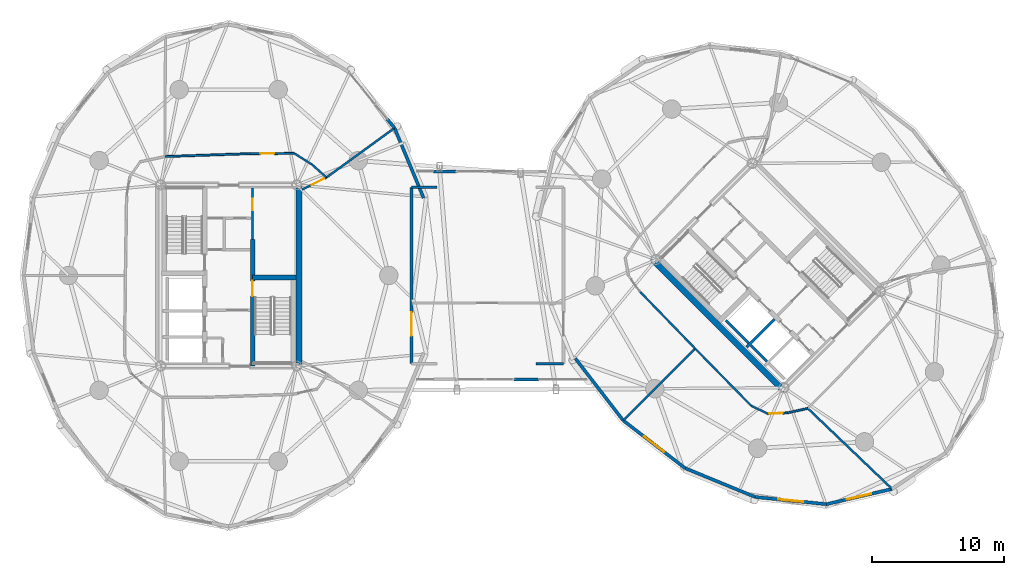
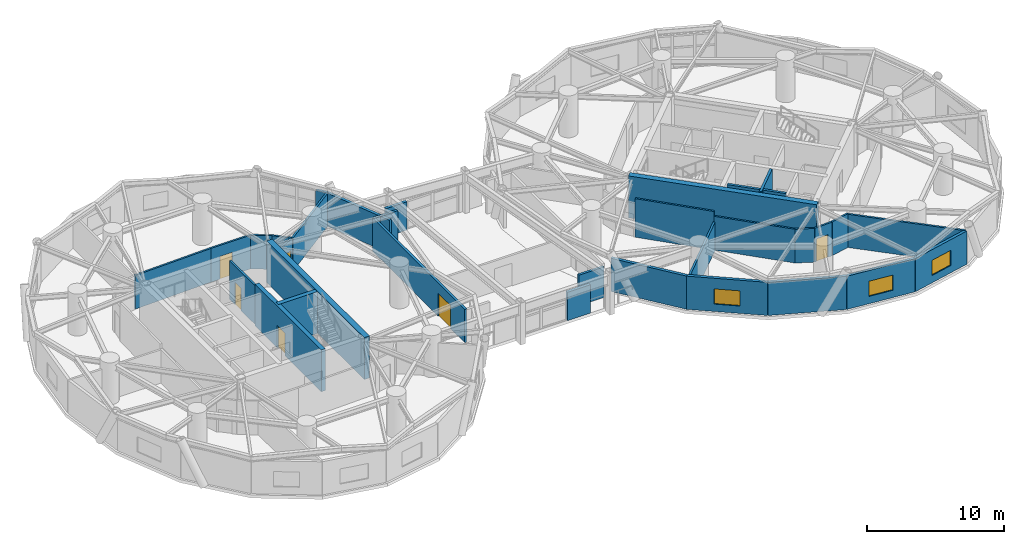
# One storey, part 14 of 19: 33 walls, 6 doors, 3 windows, 9 openings.
"""IFC4 building model written with IfcOpenShell, lengths in metres."""

from ifc_helpers import new_model, si_unit, direction, frame, frame_2d, origin, place, context, subcontext, project, spatial, rectangle, extrude, source, transform, mapped, material, layer, layer_set, type_object, element, fill, save


model = new_model("IFC4")

# Units and contexts
model_context = context("Model", 3, precision=1e-05, world=origin(), true_north=direction((0.0, 1.0)))
body_context = subcontext(model_context, "Body", "Model", "MODEL_VIEW")
ifc_project = project(units=[si_unit("LENGTHUNIT", "METRE"), si_unit("AREAUNIT", "SQUARE_METRE"), si_unit("VOLUMEUNIT", "CUBIC_METRE"), si_unit("PLANEANGLEUNIT", "RADIAN"), si_unit("MASSUNIT", "GRAM", prefix="KILO")], contexts=[model_context])

# Site, building, storey
site_placement = place(None, origin())
site = spatial("IfcSite", under=ifc_project, at=site_placement, CompositionType="ELEMENT")
building_placement = place(site_placement, origin())
building = spatial("IfcBuilding", under=site, at=building_placement, Name="Cununo Teusaquillo Station Towers", CompositionType="ELEMENT")
storey_placement = place(building_placement, frame((0.0, 0.0, 136.60009765625)))
storey = spatial("IfcBuildingStorey", under=building, at=storey_placement, Name="L43", CompositionType="ELEMENT", Elevation=136.60009765625)

# Walls
ifc_material_1 = material(Name="Concrete C50/60", Category="concrete")
ifc_layer_1 = layer(ifc_material_1, 0.199951171875)
ifc_layer_set_1 = layer_set([ifc_layer_1], Name="Concrete C50/60")
wall_type_1 = type_object("IfcWallType", Name="WL-CORE-200", PredefinedType="SHEAR", material=ifc_layer_set_1)
wall_1_placement = place(storey_placement, frame((55.8876953125, 19.0693359375, 0.0), z_axis=(0.0, 0.0, 1.0), x_axis=(0.707106781187, 0.707106781187, 0.0)))
element("IfcWall", 1, at=wall_1_placement, inside=storey, type_object=wall_type_1, Name="L43 Tower B Firefighting Lift Shaft South Shear Wall", PredefinedType="SHEAR", context=body_context, shape_type="SweptSolid", body=[
    extrude(rectangle(XDim=2.969970703125, YDim=0.199951171875, at=frame_2d((1.48486328125, 0.0))), origin(), (0.0, 0.0, 1.0), 3.719970703125),
])
wall_2_placement = place(storey_placement, frame((56.01513671875, 19.366455078125, 0.0), z_axis=(0.0, 0.0, 1.0), x_axis=(-0.707106781187, 0.707106781187, 0.0)))
element("IfcWall", 2, at=wall_2_placement, inside=storey, type_object=wall_type_1, Name="L43 Tower B Firefighting Lift Shaft Rear Shear Wall", PredefinedType="SHEAR", context=body_context, shape_type="SweptSolid", body=[
    extrude(rectangle(XDim=2.43994140625, YDim=0.199951171875, at=frame_2d((1.219970703125, 0.0))), origin(), (0.0, 0.0, 1.0), 3.719970703125),
])
wall_3_placement = place(storey_placement, frame((57.41162109375, 17.969970703125, 0.0), z_axis=(0.0, 0.0, 1.0), x_axis=(-0.707106781187, 0.707106781187, 0.0)))
element("IfcWall", 3, at=wall_3_placement, inside=storey, type_object=wall_type_1, Name="L43 Tower B High-Rise Lift 2 Shaft Rear Shear Wall", PredefinedType="SHEAR", context=body_context, shape_type="SweptSolid", body=[
    extrude(rectangle(XDim=1.73486328125, YDim=0.199951171875, at=frame_2d((0.867431640625, 0.0))), origin(), (0.0, 0.0, 1.0), 3.719970703125),
])

# Wall, opening, door
ifc_material_2 = material(Name="Concrete C50/60", Category="concrete")
ifc_layer_2 = layer(ifc_material_2, 0.35009765625)
ifc_layer_set_2 = layer_set([ifc_layer_2], Name="Concrete C50/60")
wall_type_2 = type_object("IfcWallType", Name="WL-CORE-350", PredefinedType="SHEAR", material=ifc_layer_set_2)
wall_4_placement = place(storey_placement, frame((18.31494140625, 17.625, 0.0), z_axis=(0.0, 0.0, 1.0), x_axis=(0.0, 1.0, 0.0)))
wall_4 = element("IfcWall", 4, at=wall_4_placement, inside=storey, type_object=wall_type_2, Name="L43 Tower A Core Shear Wall IE", PredefinedType="SHEAR", context=body_context, shape_type="SweptSolid", body=[
    extrude(rectangle(XDim=9.625, YDim=0.35009765625, at=frame_2d((4.8125, 0.0))), origin(), (0.0, 0.0, 1.0), 3.719970703125),
])
shared_shape_1 = source(origin(), body_context, "Body", "SweptSolid", [
    extrude(rectangle(XDim=1.14990234375, YDim=2.02001953125, at=frame_2d((0.574951171875, 1.010009765625))), frame((0.0, 0.18505859375, 0.0), z_axis=(0.0, -1.0, 0.0), x_axis=(1.0, 0.0, 0.0)), (0.0, 0.0, 1.0), 0.3701171875),
])
opening_1_placement = place(wall_4_placement, frame((5.304931640625, 0.0, 0.0)))
opening_1 = element("IfcOpeningElement", 5, at=opening_1_placement, cuts=wall_4, Name="Opening D-ST1", PredefinedType="OPENING", context=body_context, shape_type="MappedRepresentation", body=[
    mapped(shared_shape_1, transform((0.0, 0.0, 0.0), x_axis=(1.0, 0.0, 0.0), y_axis=(0.0, 1.0, 0.0), z_axis=(0.0, 0.0, 1.0), scale=1.0)),
])
ifc_material_3 = material(Name="Galvanised fire-rated hollow steel door assembly", Category="steel")
door_type_1 = type_object("IfcDoorType", Name="DR-STAIR-1150", OperationType="NOTDEFINED", PredefinedType="DOOR", material=ifc_material_3)
shared_shape_2 = source(origin(), body_context, "Body", "SweptSolid", [
    extrude(rectangle(XDim=1.14990234375, YDim=2.02001953125, at=frame_2d((0.574951171875, 1.010009765625))), frame((0.0, 0.02490234375, 0.0), z_axis=(0.0, -1.0, 0.0), x_axis=(1.0, 0.0, 0.0)), (0.0, 0.0, 1.0), 0.050048828125),
])
door_1_placement = place(opening_1_placement, origin())
door_1 = element("IfcDoor", 6, at=door_1_placement, inside=storey, type_object=door_type_1, Name="L43 Tower A Exit Stair 2 Fire Door", OperationType="SINGLE_SWING_LEFT", OverallHeight=2.02001953125, OverallWidth=1.14990234375, PredefinedType="DOOR", context=body_context, shape_type="MappedRepresentation", body=[
    mapped(shared_shape_2, transform((0.0, 0.0, 0.0), x_axis=(1.0, 0.0, 0.0), y_axis=(0.0, 1.0, 0.0), z_axis=(0.0, 0.0, 1.0), scale=1.0)),
])
fill(opening_1, door_1)

# Walls
wall_5_placement = place(storey_placement, frame((18.31494140625, 24.344970703125, 0.0), z_axis=(0.0, 0.0, 1.0), x_axis=(1.0, 0.0, 0.0)))
element("IfcWall", 7, at=wall_5_placement, inside=storey, type_object=wall_type_2, Name="L43 Tower A Core Shear Wall ST2N", PredefinedType="SHEAR", context=body_context, shape_type="SweptSolid", body=[
    extrude(rectangle(XDim=3.28515625, YDim=0.35009765625, at=frame_2d((1.642578125, 0.0))), origin(), (0.0, 0.0, 1.0), 3.719970703125),
])
ifc_material_4 = material(Name="Concrete C60/75", Category="concrete")
ifc_layer_3 = layer(ifc_material_4, 0.449951171875)
ifc_layer_set_3 = layer_set([ifc_layer_3], Name="Concrete C60/75")
wall_type_3 = type_object("IfcWallType", Name="WL-CORE-450", PredefinedType="SHEAR", material=ifc_layer_set_3)
wall_6_placement = place(storey_placement, frame((21.85009765625, 17.39990234375, 0.0), z_axis=(0.0, 0.0, 1.0), x_axis=(0.0, 1.0, 0.0)))
element("IfcWall", 8, at=wall_6_placement, inside=storey, type_object=wall_type_3, Name="L43 Tower A Core Shear Wall E", PredefinedType="SHEAR", context=body_context, shape_type="SweptSolid", body=[
    extrude(rectangle(XDim=14.2001953125, YDim=0.449951171875, at=frame_2d((7.10009765625, 0.0))), origin(), (0.0, 0.0, 1.0), 3.719970703125),
])
wall_7_placement = place(storey_placement, frame((58.7373046875, 15.696533203125, 0.0), z_axis=(0.0, 0.0, 1.0), x_axis=(-0.707106781187, 0.707106781187, 0.0)))
element("IfcWall", 9, at=wall_7_placement, inside=storey, type_object=wall_type_3, Name="L43 Tower B Core Shear Wall W", PredefinedType="SHEAR", context=body_context, shape_type="SweptSolid", body=[
    extrude(rectangle(XDim=14.19970703125, YDim=0.449951171875, at=frame_2d((7.099853515625, 0.0))), origin(), (0.0, 0.0, 1.0), 3.719970703125),
])
ifc_material_5 = material(Name="Precast concrete C40/50", Category="concrete")
ifc_layer_4 = layer(ifc_material_5, 0.239990234375)
ifc_layer_set_4 = layer_set([ifc_layer_4], Name="Precast concrete C40/50")
wall_type_4 = type_object("IfcWallType", Name="WL-EXT-240", PredefinedType="SOLIDWALL", material=ifc_layer_set_4)
wall_8_placement = place(storey_placement, frame((29.105224609375, 35.708984375, 0.0), z_axis=(0.0, 0.0, 1.0), x_axis=(0.384344417632, -0.923189779317, 0.0)))
element("IfcWall", 10, at=wall_8_placement, inside=storey, type_object=wall_type_4, Name="L43 Tower A Exterior Facade Wall C01", PredefinedType="SOLIDWALL", context=body_context, shape_type="SweptSolid", body=[
    extrude(rectangle(XDim=5.75830078125, YDim=0.239990234375, at=frame_2d((2.879150390625, 0.0))), origin(), (0.0, 0.0, 1.0), 2.948974609375),
])
wall_9_placement = place(storey_placement, frame((28.5546875, 36.3828125, 0.0), z_axis=(0.0, 0.0, 1.0), x_axis=(0.632702874536, -0.774394649099, 0.0)))
element("IfcWall", 11, at=wall_9_placement, inside=storey, type_object=wall_type_4, Name="L43 Tower A Column Pier Cladding Wall C02-PB", PredefinedType="SOLIDWALL", context=body_context, shape_type="SweptSolid", body=[
    extrude(rectangle(XDim=0.8701171875, YDim=0.239990234375, at=frame_2d((0.43505859375, 0.0))), origin(), (0.0, 0.0, 1.0), 2.948974609375),
])
wall_10_placement = place(storey_placement, frame((46.482666015625, 13.482666015625, 0.0), z_axis=(0.0, 0.0, 1.0), x_axis=(-0.61054437102, 0.791982052206, 0.0)))
element("IfcWall", 12, at=wall_10_placement, inside=storey, type_object=wall_type_4, Name="L43 Tower B Exterior Facade Wall C09", PredefinedType="SOLIDWALL", context=body_context, shape_type="SweptSolid", body=[
    extrude(rectangle(XDim=5.942138671875, YDim=0.239990234375, at=frame_2d((2.97119140625, 0.0))), origin(), (0.0, 0.0, 1.0), 2.948974609375),
])

# Wall, opening, window
wall_11_placement = place(storey_placement, frame((51.188720703125, 9.854736328125, 0.0), z_axis=(0.0, 0.0, 1.0), x_axis=(-0.791982052206, 0.61054437102, 0.0)))
wall_11 = element("IfcWall", 13, at=wall_11_placement, inside=storey, type_object=wall_type_4, Name="L43 Tower B Exterior Facade Wall C10", PredefinedType="SOLIDWALL", context=body_context, shape_type="SweptSolid", body=[
    extrude(rectangle(XDim=5.942138671875, YDim=0.239990234375, at=frame_2d((2.97119140625, 0.0))), origin(), (0.0, 0.0, 1.0), 2.948974609375),
])
shared_shape_3 = source(origin(), body_context, "Body", "SweptSolid", [
    extrude(rectangle(XDim=1.89990234375, YDim=1.35009765625, at=frame_2d((0.949951171875, 0.675048828125))), frame((0.0, 0.1298828125, 0.0), z_axis=(0.0, -1.0, 0.0), x_axis=(1.0, 0.0, 0.0)), (0.0, 0.0, 1.0), 0.260009765625),
])
opening_2_placement = place(wall_11_placement, frame((2.02099609375, 0.0, 0.64990234375)))
opening_2 = element("IfcOpeningElement", 14, at=opening_2_placement, cuts=wall_11, Name="Opening WN-02", PredefinedType="OPENING", context=body_context, shape_type="MappedRepresentation", body=[
    mapped(shared_shape_3, transform((0.0, 0.0, 0.0), x_axis=(1.0, 0.0, 0.0), y_axis=(0.0, 1.0, 0.0), z_axis=(0.0, 0.0, 1.0), scale=1.0)),
])
ifc_material_6 = material(Name="Operable acoustic tinted low-E double glazing", Category="glass")
window_type = type_object("IfcWindowType", Name="WIN-OPER-1900", PartitioningType="DOUBLE_PANEL_VERTICAL", PredefinedType="WINDOW", material=ifc_material_6)
shared_shape_4 = source(origin(), body_context, "Body", "SweptSolid", [
    extrude(rectangle(XDim=1.89990234375, YDim=1.35009765625, at=frame_2d((0.949951171875, 0.675048828125))), frame((0.0, 0.030029296875, 0.0), z_axis=(0.0, -1.0, 0.0), x_axis=(1.0, 0.0, 0.0)), (0.0, 0.0, 1.0), 0.06005859375),
])
window_1_placement = place(opening_2_placement, origin())
window_1 = element("IfcWindow", 15, at=window_1_placement, inside=storey, type_object=window_type, Name="L43 Tower B Facade Window C10", OverallHeight=1.35009765625, OverallWidth=1.89990234375, PartitioningType="DOUBLE_PANEL_VERTICAL", PredefinedType="WINDOW", context=body_context, shape_type="MappedRepresentation", body=[
    mapped(shared_shape_4, transform((0.0, 0.0, 0.0), x_axis=(1.0, 0.0, 0.0), y_axis=(0.0, 1.0, 0.0), z_axis=(0.0, 0.0, 1.0), scale=1.0)),
])
fill(opening_2, window_1)

# Wall
wall_12_placement = place(storey_placement, frame((56.5126953125, 7.66064453125, 0.0), z_axis=(0.0, 0.0, 1.0), x_axis=(-0.924563909604, 0.381027003055, 0.0)))
element("IfcWall", 16, at=wall_12_placement, inside=storey, type_object=wall_type_4, Name="L43 Tower B Exterior Facade Wall C11", PredefinedType="SOLIDWALL", context=body_context, shape_type="SweptSolid", body=[
    extrude(rectangle(XDim=5.75830078125, YDim=0.239990234375, at=frame_2d((2.879150390625, 0.0))), origin(), (0.0, 0.0, 1.0), 2.948974609375),
])

# Wall, opening, window
wall_13_placement = place(storey_placement, frame((61.933349609375, 7.114990234375, 0.0), z_axis=(0.0, 0.0, 1.0), x_axis=(-0.994971754311, 0.10015591906, 0.0)))
wall_13 = element("IfcWall", 17, at=wall_13_placement, inside=storey, type_object=wall_type_4, Name="L43 Tower B Exterior Facade Wall C12", PredefinedType="SOLIDWALL", context=body_context, shape_type="SweptSolid", body=[
    extrude(rectangle(XDim=5.447998046875, YDim=0.239990234375, at=frame_2d((2.72412109375, 0.0))), origin(), (0.0, 0.0, 1.0), 2.948974609375),
])
opening_3_placement = place(wall_13_placement, frame((1.77392578125, 0.0, 0.64990234375)))
opening_3 = element("IfcOpeningElement", 18, at=opening_3_placement, cuts=wall_13, Name="Opening WN-02", PredefinedType="OPENING", context=body_context, shape_type="MappedRepresentation", body=[
    mapped(shared_shape_3, transform((0.0, 0.0, 0.0), x_axis=(1.0, 0.0, 0.0), y_axis=(0.0, 1.0, 0.0), z_axis=(0.0, 0.0, 1.0), scale=1.0)),
])
window_2_placement = place(opening_3_placement, origin())
window_2 = element("IfcWindow", 19, at=window_2_placement, inside=storey, type_object=window_type, Name="L43 Tower B Facade Window C12", OverallHeight=1.35009765625, OverallWidth=1.89990234375, PartitioningType="DOUBLE_PANEL_VERTICAL", PredefinedType="WINDOW", context=body_context, shape_type="MappedRepresentation", body=[
    mapped(shared_shape_4, transform((0.0, 0.0, 0.0), x_axis=(1.0, 0.0, 0.0), y_axis=(0.0, 1.0, 0.0), z_axis=(0.0, 0.0, 1.0), scale=1.0)),
])
fill(opening_3, window_2)

wall_14_placement = place(storey_placement, frame((66.919921875, 8.27099609375, 0.0), z_axis=(0.0, 0.0, 1.0), x_axis=(-0.974165631126, -0.225834725257, 0.0)))
wall_14 = element("IfcWall", 20, at=wall_14_placement, inside=storey, type_object=wall_type_4, Name="L43 Tower B Exterior Facade Wall C13", PredefinedType="SOLIDWALL", context=body_context, shape_type="SweptSolid", body=[
    extrude(rectangle(XDim=5.118896484375, YDim=0.239990234375, at=frame_2d((2.5595703125, 0.0))), origin(), (0.0, 0.0, 1.0), 2.948974609375),
])
opening_4_placement = place(wall_14_placement, frame((1.60888671875, 0.0, 0.64990234375)))
opening_4 = element("IfcOpeningElement", 21, at=opening_4_placement, cuts=wall_14, Name="Opening WN-02", PredefinedType="OPENING", context=body_context, shape_type="MappedRepresentation", body=[
    mapped(shared_shape_3, transform((0.0, 0.0, 0.0), x_axis=(1.0, 0.0, 0.0), y_axis=(0.0, 1.0, 0.0), z_axis=(0.0, 0.0, 1.0), scale=1.0)),
])
window_3_placement = place(opening_4_placement, origin())
window_3 = element("IfcWindow", 22, at=window_3_placement, inside=storey, type_object=window_type, Name="L43 Tower B Facade Window C13", OverallHeight=1.35009765625, OverallWidth=1.89990234375, PartitioningType="DOUBLE_PANEL_VERTICAL", PredefinedType="WINDOW", context=body_context, shape_type="MappedRepresentation", body=[
    mapped(shared_shape_4, transform((0.0, 0.0, 0.0), x_axis=(1.0, 0.0, 0.0), y_axis=(0.0, 1.0, 0.0), z_axis=(0.0, 0.0, 1.0), scale=1.0)),
])
fill(opening_4, window_3)

# Walls
wall_15_placement = place(storey_placement, frame((32.050048828125, 32.39990234375, 0.0), z_axis=(0.0, 0.0, 1.0), x_axis=(1.0, 0.0, 0.0)))
element("IfcWall", 23, at=wall_15_placement, inside=storey, type_object=wall_type_4, Name="L43 Mid-Bridge N End Spandrel A", PredefinedType="SOLIDWALL", context=body_context, shape_type="SweptSolid", body=[
    extrude(rectangle(XDim=1.77001953125, YDim=0.239990234375, at=frame_2d((0.885009765625, 0.0))), origin(), (0.0, 0.0, 1.0), 2.511962890625),
])
wall_16_placement = place(storey_placement, frame((40.10009765625, 16.60009765625, 0.0), z_axis=(0.0, 0.0, 1.0), x_axis=(-1.0, 0.0, 0.0)))
element("IfcWall", 24, at=wall_16_placement, inside=storey, type_object=wall_type_4, Name="L43 Mid-Bridge S End Spandrel A", PredefinedType="SOLIDWALL", context=body_context, shape_type="SweptSolid", body=[
    extrude(rectangle(XDim=1.920166015625, YDim=0.239990234375, at=frame_2d((0.9599609375, 0.0))), origin(), (0.0, 0.0, 1.0), 2.511962890625),
])
ifc_material_7 = material(Name="Fire-rated gypsum plasterboard partition assembly", Category="gypsum")
ifc_layer_5 = layer(ifc_material_7, 0.14990234375)
ifc_layer_set_5 = layer_set([ifc_layer_5], Name="Fire-rated gypsum plasterboard partition assembly")
wall_type_5 = type_object("IfcWallType", Name="WL-PART-150", PredefinedType="PARTITIONING", material=ifc_layer_set_5)
wall_17_placement = place(storey_placement, frame((23.933349609375, 31.9462890625, 0.0), z_axis=(0.0, 0.0, 1.0), x_axis=(-0.744529651383, 0.667589393423, 0.0)))
element("IfcWall", 25, at=wall_17_placement, inside=storey, type_object=wall_type_5, Name="L43 Tower A Corridor Ring Wall C02", PredefinedType="PARTITIONING", context=body_context, shape_type="SweptSolid", body=[
    extrude(rectangle(XDim=1.472412109375, YDim=0.14990234375, at=frame_2d((0.736328125, 0.0))), origin(), (0.0, 0.0, 1.0), 2.994873046875),
])
wall_18_placement = place(storey_placement, frame((22.837158203125, 32.92919921875, 0.0), z_axis=(0.0, 0.0, 1.0), x_axis=(-0.84581079329, 0.533482991252, 0.0)))
element("IfcWall", 26, at=wall_18_placement, inside=storey, type_object=wall_type_5, Name="L43 Tower A Corridor Ring Wall C03", PredefinedType="PARTITIONING", context=body_context, shape_type="SweptSolid", body=[
    extrude(rectangle(XDim=1.585205078125, YDim=0.14990234375, at=frame_2d((0.79248046875, 0.0))), origin(), (0.0, 0.0, 1.0), 2.994873046875),
])

# Wall, opening, door
wall_19_placement = place(storey_placement, frame((21.496337890625, 33.77490234375, 0.0), z_axis=(0.0, 0.0, 1.0), x_axis=(-0.999989544737, -0.004572790979, 0.0)))
wall_19 = element("IfcWall", 27, at=wall_19_placement, inside=storey, type_object=wall_type_5, Name="L43 Tower A Corridor Ring Wall C04", PredefinedType="PARTITIONING", context=body_context, shape_type="SweptSolid", body=[
    extrude(rectangle(XDim=3.363525390625, YDim=0.14990234375, at=frame_2d((1.681640625, 0.0))), origin(), (0.0, 0.0, 1.0), 2.994873046875),
])
shared_shape_5 = source(origin(), body_context, "Body", "SweptSolid", [
    extrude(rectangle(XDim=1.050048828125, YDim=2.014892578125, at=frame_2d((0.52490234375, 1.00732421875))), frame((0.0, 0.0849609375, 0.0), z_axis=(0.0, -1.0, 0.0), x_axis=(1.0, 0.0, 0.0)), (0.0, 0.0, 1.0), 0.169921875),
])
opening_5_placement = place(wall_19_placement, frame((1.545654296875, 0.0, 0.0)))
opening_5 = element("IfcOpeningElement", 28, at=opening_5_placement, cuts=wall_19, Name="Opening D-SU1", PredefinedType="OPENING", context=body_context, shape_type="MappedRepresentation", body=[
    mapped(shared_shape_5, transform((0.0, 0.0, 0.0), x_axis=(1.0, 0.0, 0.0), y_axis=(0.0, 1.0, 0.0), z_axis=(0.0, 0.0, 1.0), scale=1.0)),
])
ifc_material_8 = material(Name="Acoustic solid-core hardwood leaf assembly", Category="wood")
door_type_2 = type_object("IfcDoorType", Name="DR-SUITE-1050", OperationType="NOTDEFINED", PredefinedType="DOOR", material=ifc_material_8)
shared_shape_6 = source(origin(), body_context, "Body", "SweptSolid", [
    extrude(rectangle(XDim=1.050048828125, YDim=2.014892578125, at=frame_2d((0.52490234375, 1.00732421875))), frame((0.0, 0.02490234375, 0.0), z_axis=(0.0, -1.0, 0.0), x_axis=(1.0, 0.0, 0.0)), (0.0, 0.0, 1.0), 0.050048828125),
])
door_2_placement = place(opening_5_placement, origin())
door_2 = element("IfcDoor", 29, at=door_2_placement, inside=storey, type_object=door_type_2, Name="L43 Tower A Panoramic Conservatory Dining Hall Entrance Door", OperationType="SINGLE_SWING_LEFT", OverallHeight=2.014892578125, OverallWidth=1.050048828125, PredefinedType="DOOR", context=body_context, shape_type="MappedRepresentation", body=[
    mapped(shared_shape_6, transform((0.0, 0.0, 0.0), x_axis=(1.0, 0.0, 0.0), y_axis=(0.0, 1.0, 0.0), z_axis=(0.0, 0.0, 1.0), scale=1.0)),
])
fill(opening_5, door_2)

# Walls
wall_20_placement = place(storey_placement, frame((18.1328125, 33.759521484375, 0.0), z_axis=(0.0, 0.0, 1.0), x_axis=(-0.999419643988, -0.034064280574, 0.0)))
element("IfcWall", 30, at=wall_20_placement, inside=storey, type_object=wall_type_5, Name="L43 Tower A Corridor Ring Wall C05", PredefinedType="PARTITIONING", context=body_context, shape_type="SweptSolid", body=[
    extrude(rectangle(XDim=6.486083984375, YDim=0.14990234375, at=frame_2d((3.2431640625, 0.0))), origin(), (0.0, 0.0, 1.0), 2.994873046875),
])
wall_21_placement = place(storey_placement, frame((47.786376953125, 23.24169921875, 0.0), z_axis=(0.0, 0.0, 1.0), x_axis=(0.696183456981, -0.717863910659, 0.0)))
element("IfcWall", 31, at=wall_21_placement, inside=storey, type_object=wall_type_5, Name="L43 Tower B Corridor Ring Wall C09", PredefinedType="PARTITIONING", context=body_context, shape_type="SweptSolid", body=[
    extrude(rectangle(XDim=5.9794921875, YDim=0.14990234375, at=frame_2d((2.98974609375, 0.0))), origin(), (0.0, 0.0, 1.0), 3.4248046875),
])
wall_22_placement = place(storey_placement, frame((51.94921875, 18.94921875, 0.0), z_axis=(0.0, 0.0, 1.0), x_axis=(0.699801520154, -0.714337337951, 0.0)))
element("IfcWall", 32, at=wall_22_placement, inside=storey, type_object=wall_type_5, Name="L43 Tower B Corridor Ring Wall C10", PredefinedType="PARTITIONING", context=body_context, shape_type="SweptSolid", body=[
    extrude(rectangle(XDim=6.096923828125, YDim=0.14990234375, at=frame_2d((3.04833984375, 0.0))), origin(), (0.0, 0.0, 1.0), 2.994873046875),
])
wall_23_placement = place(storey_placement, frame((56.2158203125, 14.593994140625, 0.0), z_axis=(0.0, 0.0, 1.0), x_axis=(0.902219207281, -0.431277755064, 0.0)))
element("IfcWall", 33, at=wall_23_placement, inside=storey, type_object=wall_type_5, Name="L43 Tower B Corridor Ring Wall C11", PredefinedType="PARTITIONING", context=body_context, shape_type="SweptSolid", body=[
    extrude(rectangle(XDim=1.40966796875, YDim=0.14990234375, at=frame_2d((0.704833984375, 0.0))), origin(), (0.0, 0.0, 1.0), 2.994873046875),
])

# Wall, opening, door
wall_24_placement = place(storey_placement, frame((57.487548828125, 13.986083984375, 0.0), z_axis=(0.0, 0.0, 1.0), x_axis=(0.998863298217, 0.047666670476, 0.0)))
wall_24 = element("IfcWall", 34, at=wall_24_placement, inside=storey, type_object=wall_type_5, Name="L43 Tower B Corridor Ring Wall C12", PredefinedType="PARTITIONING", context=body_context, shape_type="SweptSolid", body=[
    extrude(rectangle(XDim=1.4853515625, YDim=0.14990234375, at=frame_2d((0.74267578125, 0.0))), origin(), (0.0, 0.0, 1.0), 2.994873046875),
])
shared_shape_7 = source(origin(), body_context, "Body", "SweptSolid", [
    extrude(rectangle(XDim=1.0, YDim=2.014892578125, at=frame_2d((0.5, 1.00732421875))), frame((0.0, 0.0849609375, 0.0), z_axis=(0.0, -1.0, 0.0), x_axis=(1.0, 0.0, 0.0)), (0.0, 0.0, 1.0), 0.169921875),
])
opening_6_placement = place(wall_24_placement, frame((0.1201171875, 0.0, 0.0)))
opening_6 = element("IfcOpeningElement", 35, at=opening_6_placement, cuts=wall_24, Name="Opening D-AC1", PredefinedType="OPENING", context=body_context, shape_type="MappedRepresentation", body=[
    mapped(shared_shape_7, transform((0.0, 0.0, 0.0), x_axis=(1.0, 0.0, 0.0), y_axis=(0.0, 1.0, 0.0), z_axis=(0.0, 0.0, 1.0), scale=1.0)),
])
ifc_material_9 = material(Name="Acoustic solid-core hardwood leaf assembly", Category="wood")
door_type_3 = type_object("IfcDoorType", Name="DR-ACC-1000", OperationType="NOTDEFINED", PredefinedType="DOOR", material=ifc_material_9)
shared_shape_8 = source(origin(), body_context, "Body", "SweptSolid", [
    extrude(rectangle(XDim=1.0, YDim=2.014892578125, at=frame_2d((0.5, 1.00732421875))), frame((0.0, 0.02490234375, 0.0), z_axis=(0.0, -1.0, 0.0), x_axis=(1.0, 0.0, 0.0)), (0.0, 0.0, 1.0), 0.050048828125),
])
door_3_placement = place(opening_6_placement, origin())
door_3 = element("IfcDoor", 36, at=door_3_placement, inside=storey, type_object=door_type_3, Name="L43 Tower B Public Accessible Restroom WC Entrance Door", OperationType="SINGLE_SWING_RIGHT", OverallHeight=2.014892578125, OverallWidth=1.0, PredefinedType="DOOR", context=body_context, shape_type="MappedRepresentation", body=[
    mapped(shared_shape_8, transform((0.0, 0.0, 0.0), x_axis=(1.0, 0.0, 0.0), y_axis=(0.0, 1.0, 0.0), z_axis=(0.0, 0.0, 1.0), scale=1.0)),
])
fill(opening_6, door_3)

# Wall
wall_25_placement = place(storey_placement, frame((58.97119140625, 14.056884765625, 0.0), z_axis=(0.0, 0.0, 1.0), x_axis=(0.976085233804, 0.217388169756, 0.0)))
element("IfcWall", 37, at=wall_25_placement, inside=storey, type_object=wall_type_5, Name="L43 Tower B Corridor Ring Wall C13", PredefinedType="PARTITIONING", context=body_context, shape_type="SweptSolid", body=[
    extrude(rectangle(XDim=1.581298828125, YDim=0.14990234375, at=frame_2d((0.79052734375, 0.0))), origin(), (0.0, 0.0, 1.0), 2.994873046875),
])

# Wall, opening, door
ifc_material_10 = material(Name="Fire-rated gypsum plasterboard partition assembly", Category="gypsum")
ifc_layer_6 = layer(ifc_material_10, 0.159912109375)
ifc_layer_set_6 = layer_set([ifc_layer_6], Name="Fire-rated gypsum plasterboard partition assembly")
wall_type_6 = type_object("IfcWallType", Name="WL-PART-160", PredefinedType="PARTITIONING", material=ifc_layer_set_6)
wall_26_placement = place(storey_placement, frame((18.31494140625, 27.25, 0.0), z_axis=(0.0, 0.0, 1.0), x_axis=(0.0, 1.0, 0.0)))
wall_26 = element("IfcWall", 38, at=wall_26_placement, inside=storey, type_object=wall_type_6, Name="L43 Tower A Reclaimed Core Bay Entry Wall", PredefinedType="PARTITIONING", context=body_context, shape_type="SweptSolid", body=[
    extrude(rectangle(XDim=3.89990234375, YDim=0.159912109375, at=frame_2d((1.949951171875, 0.0))), origin(), (0.0, 0.0, 1.0), 3.4248046875),
])
shared_shape_9 = source(origin(), body_context, "Body", "SweptSolid", [
    extrude(rectangle(XDim=0.89990234375, YDim=2.0048828125, at=frame_2d((0.449951171875, 1.00244140625))), frame((0.0, 0.08984375, 0.0), z_axis=(0.0, -1.0, 0.0), x_axis=(1.0, 0.0, 0.0)), (0.0, 0.0, 1.0), 0.179931640625),
])
opening_7_placement = place(wall_26_placement, frame((2.199951171875, 0.0, 0.0)))
opening_7 = element("IfcOpeningElement", 39, at=opening_7_placement, cuts=wall_26, Name="Opening D-IN1", PredefinedType="OPENING", context=body_context, shape_type="MappedRepresentation", body=[
    mapped(shared_shape_9, transform((0.0, 0.0, 0.0), x_axis=(1.0, 0.0, 0.0), y_axis=(0.0, 1.0, 0.0), z_axis=(0.0, 0.0, 1.0), scale=1.0)),
])
ifc_material_11 = material(Name="Acoustic solid-core hardwood leaf assembly", Category="wood")
door_type_4 = type_object("IfcDoorType", Name="DR-INT-900", OperationType="NOTDEFINED", PredefinedType="DOOR", material=ifc_material_11)
shared_shape_10 = source(origin(), body_context, "Body", "SweptSolid", [
    extrude(rectangle(XDim=0.89990234375, YDim=2.0048828125, at=frame_2d((0.449951171875, 1.00244140625))), frame((0.0, 0.02490234375, 0.0), z_axis=(0.0, -1.0, 0.0), x_axis=(1.0, 0.0, 0.0)), (0.0, 0.0, 1.0), 0.050048828125),
])
door_4_placement = place(opening_7_placement, origin())
door_4 = element("IfcDoor", 40, at=door_4_placement, inside=storey, type_object=door_type_4, Name="L43 Tower A Reclaimed Core Lounge Door", OperationType="SINGLE_SWING_RIGHT", OverallHeight=2.0048828125, OverallWidth=0.89990234375, PredefinedType="DOOR", context=body_context, shape_type="MappedRepresentation", body=[
    mapped(shared_shape_10, transform((0.0, 0.0, 0.0), x_axis=(1.0, 0.0, 0.0), y_axis=(0.0, 1.0, 0.0), z_axis=(0.0, 0.0, 1.0), scale=1.0)),
])
fill(opening_7, door_4)

# Wall
wall_27_placement = place(storey_placement, frame((23.933349609375, 31.9462890625, 0.0), z_axis=(0.0, 0.0, 1.0), x_axis=(0.808636722237, 0.588308296261, 0.0)))
element("IfcWall", 41, at=wall_27_placement, inside=storey, type_object=wall_type_6, Name="L43 Tower A Radial Suite Partition R01", PredefinedType="PARTITIONING", context=body_context, shape_type="SweptSolid", body=[
    extrude(rectangle(XDim=6.3759765625, YDim=0.159912109375, at=frame_2d((3.18798828125, 0.0))), origin(), (0.0, 0.0, 1.0), 2.948974609375),
])

# Wall, opening, door
wall_28_placement = place(storey_placement, frame((22.074951171875, 31.02490234375, 0.0), z_axis=(0.0, 0.0, 1.0), x_axis=(0.8959286695, 0.444197950432, 0.0)))
wall_28 = element("IfcWall", 42, at=wall_28_placement, inside=storey, type_object=wall_type_6, Name="L43 Tower A East Salon Corridor Portal Wall NE", PredefinedType="PARTITIONING", context=body_context, shape_type="SweptSolid", body=[
    extrude(rectangle(XDim=2.07421875, YDim=0.159912109375, at=frame_2d((1.037109375, 0.0))), origin(), (0.0, 0.0, 1.0), 2.994873046875),
])
shared_shape_11 = source(origin(), body_context, "Body", "SweptSolid", [
    extrude(rectangle(XDim=1.050048828125, YDim=2.014892578125, at=frame_2d((0.52490234375, 1.00732421875))), frame((0.0, 0.08984375, 0.0), z_axis=(0.0, -1.0, 0.0), x_axis=(1.0, 0.0, 0.0)), (0.0, 0.0, 1.0), 0.179931640625),
])
opening_8_placement = place(wall_28_placement, frame((0.82421875, 0.0, 0.0)))
opening_8 = element("IfcOpeningElement", 43, at=opening_8_placement, cuts=wall_28, Name="Opening D-SU1", PredefinedType="OPENING", context=body_context, shape_type="MappedRepresentation", body=[
    mapped(shared_shape_11, transform((0.0, 0.0, 0.0), x_axis=(1.0, 0.0, 0.0), y_axis=(0.0, 1.0, 0.0), z_axis=(0.0, 0.0, 1.0), scale=1.0)),
])
door_5_placement = place(opening_8_placement, origin())
door_5 = element("IfcDoor", 44, at=door_5_placement, inside=storey, type_object=door_type_2, Name="L43 Tower A East Panorama Sky Salon Door NE", OperationType="SINGLE_SWING_LEFT", OverallHeight=2.014892578125, OverallWidth=1.050048828125, PredefinedType="DOOR", context=body_context, shape_type="MappedRepresentation", body=[
    mapped(shared_shape_6, transform((0.0, 0.0, 0.0), x_axis=(1.0, 0.0, 0.0), y_axis=(0.0, 1.0, 0.0), z_axis=(0.0, 0.0, 1.0), scale=1.0)),
])
fill(opening_8, door_5)

# Walls
wall_29_placement = place(storey_placement, frame((51.94921875, 18.94921875, 0.0), z_axis=(0.0, 0.0, 1.0), x_axis=(-0.707106781187, -0.707106781187, 0.0)))
element("IfcWall", 45, at=wall_29_placement, inside=storey, type_object=wall_type_6, Name="L43 Tower B Radial Suite Partition R03", PredefinedType="PARTITIONING", context=body_context, shape_type="SweptSolid", body=[
    extrude(rectangle(XDim=7.711181640625, YDim=0.159912109375, at=frame_2d((3.85546875, 0.0))), origin(), (0.0, 0.0, 1.0), 2.511962890625),
])
wall_30_placement = place(storey_placement, frame((60.5146484375, 14.400634765625, 0.0), z_axis=(0.0, 0.0, 1.0), x_axis=(0.722998961483, -0.690849116446, 0.0)))
element("IfcWall", 46, at=wall_30_placement, inside=storey, type_object=wall_type_6, Name="L43 Tower B Radial Suite Partition R04", PredefinedType="PARTITIONING", context=body_context, shape_type="SweptSolid", body=[
    extrude(rectangle(XDim=8.846923828125, YDim=0.159912109375, at=frame_2d((4.42333984375, 0.0))), origin(), (0.0, 0.0, 1.0), 2.948974609375),
])

# Wall, opening, door
ifc_material_12 = material(Name="Fire-rated gypsum plasterboard partition assembly", Category="gypsum")
ifc_layer_7 = layer(ifc_material_12, 0.199951171875)
ifc_layer_set_7 = layer_set([ifc_layer_7], Name="Fire-rated gypsum plasterboard partition assembly")
wall_type_7 = type_object("IfcWallType", Name="WL-PART-200", PredefinedType="PARTITIONING", material=ifc_layer_set_7)
wall_31_placement = place(storey_placement, frame((30.39990234375, 17.800048828125, 0.0), z_axis=(0.0, 0.0, 1.0), x_axis=(0.0, 1.0, 0.0)))
wall_31 = element("IfcWall", 47, at=wall_31_placement, inside=storey, type_object=wall_type_7, Name="L43 Mid-Bridge T1 Fire Portal Wall", PredefinedType="PARTITIONING", context=body_context, shape_type="SweptSolid", body=[
    extrude(rectangle(XDim=13.39990234375, YDim=0.199951171875, at=frame_2d((6.699951171875, 0.0))), origin(), (0.0, 0.0, 1.0), 2.948974609375),
])
shared_shape_12 = source(origin(), body_context, "Body", "SweptSolid", [
    extrude(rectangle(XDim=1.800048828125, YDim=2.050048828125, at=frame_2d((0.89990234375, 1.02490234375))), frame((0.0, 0.10986328125, 0.0), z_axis=(0.0, -1.0, 0.0), x_axis=(1.0, 0.0, 0.0)), (0.0, 0.0, 1.0), 0.219970703125),
])
opening_9_placement = place(wall_31_placement, frame((2.10009765625, 0.0, 0.0)))
opening_9 = element("IfcOpeningElement", 48, at=opening_9_placement, cuts=wall_31, Name="Opening D-BG1", PredefinedType="OPENING", context=body_context, shape_type="MappedRepresentation", body=[
    mapped(shared_shape_12, transform((0.0, 0.0, 0.0), x_axis=(1.0, 0.0, 0.0), y_axis=(0.0, 1.0, 0.0), z_axis=(0.0, 0.0, 1.0), scale=1.0)),
])
ifc_material_13 = material(Name="Galvanised fire-rated hollow steel door assembly", Category="steel")
door_type_5 = type_object("IfcDoorType", Name="DR-BRIDGE-1800", OperationType="DOUBLE_DOOR_SINGLE_SWING", PredefinedType="DOOR", material=ifc_material_13)
shared_shape_13 = source(origin(), body_context, "Body", "SweptSolid", [
    extrude(rectangle(XDim=1.800048828125, YDim=2.050048828125, at=frame_2d((0.89990234375, 1.02490234375))), frame((0.0, 0.02490234375, 0.0), z_axis=(0.0, -1.0, 0.0), x_axis=(1.0, 0.0, 0.0)), (0.0, 0.0, 1.0), 0.050048828125),
])
door_6_placement = place(opening_9_placement, origin())
door_6 = element("IfcDoor", 49, at=door_6_placement, inside=storey, type_object=door_type_5, Name="L43 Mid-Bridge T1 Portal Fire Door", OperationType="DOUBLE_DOOR_SINGLE_SWING", OverallHeight=2.050048828125, OverallWidth=1.800048828125, PredefinedType="DOOR", context=body_context, shape_type="MappedRepresentation", body=[
    mapped(shared_shape_13, transform((0.0, 0.0, 0.0), x_axis=(1.0, 0.0, 0.0), y_axis=(0.0, 1.0, 0.0), z_axis=(0.0, 0.0, 1.0), scale=1.0)),
])
fill(opening_9, door_6)

# Walls
wall_32_placement = place(storey_placement, frame((30.39990234375, 31.199951171875, 0.0), z_axis=(0.0, 0.0, 1.0), x_axis=(1.0, 0.0, 0.0)))
element("IfcWall", 50, at=wall_32_placement, inside=storey, type_object=wall_type_7, Name="L43 Mid-Bridge Portal Return Wall WN", PredefinedType="PARTITIONING", context=body_context, shape_type="SweptSolid", body=[
    extrude(rectangle(XDim=1.9501953125, YDim=0.199951171875, at=frame_2d((0.97509765625, 0.0))), origin(), (0.0, 0.0, 1.0), 2.948974609375),
])
wall_33_placement = place(storey_placement, frame((39.85009765625, 17.800048828125, 0.0), z_axis=(0.0, 0.0, 1.0), x_axis=(1.0, 0.0, 0.0)))
element("IfcWall", 51, at=wall_33_placement, inside=storey, type_object=wall_type_7, Name="L43 Mid-Bridge Portal Return Wall ES", PredefinedType="PARTITIONING", context=body_context, shape_type="SweptSolid", body=[
    extrude(rectangle(XDim=2.099853515625, YDim=0.199951171875, at=frame_2d((1.0498046875, 0.0))), origin(), (0.0, 0.0, 1.0), 2.7119140625),
])

save(model, "model.ifc")
